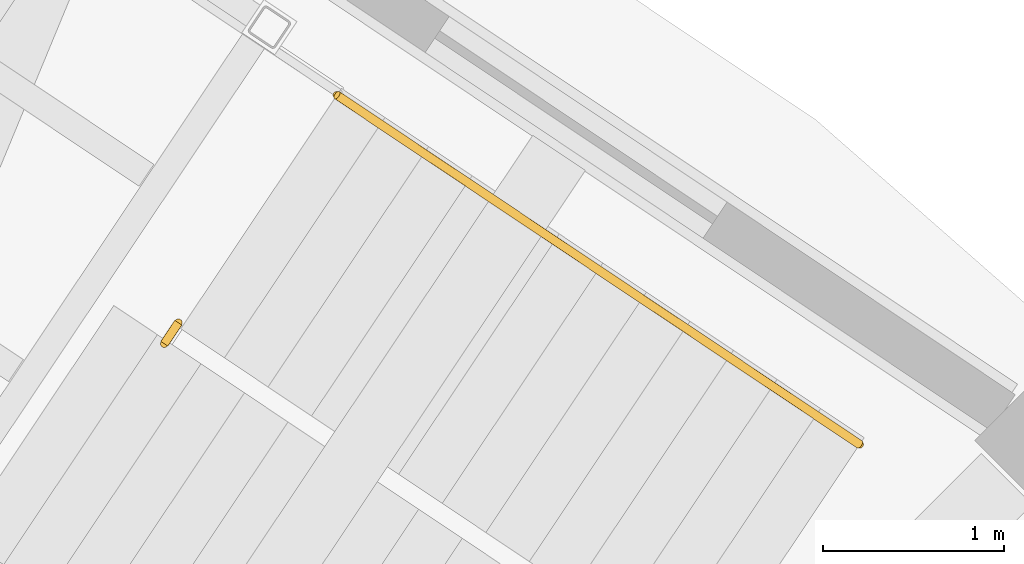
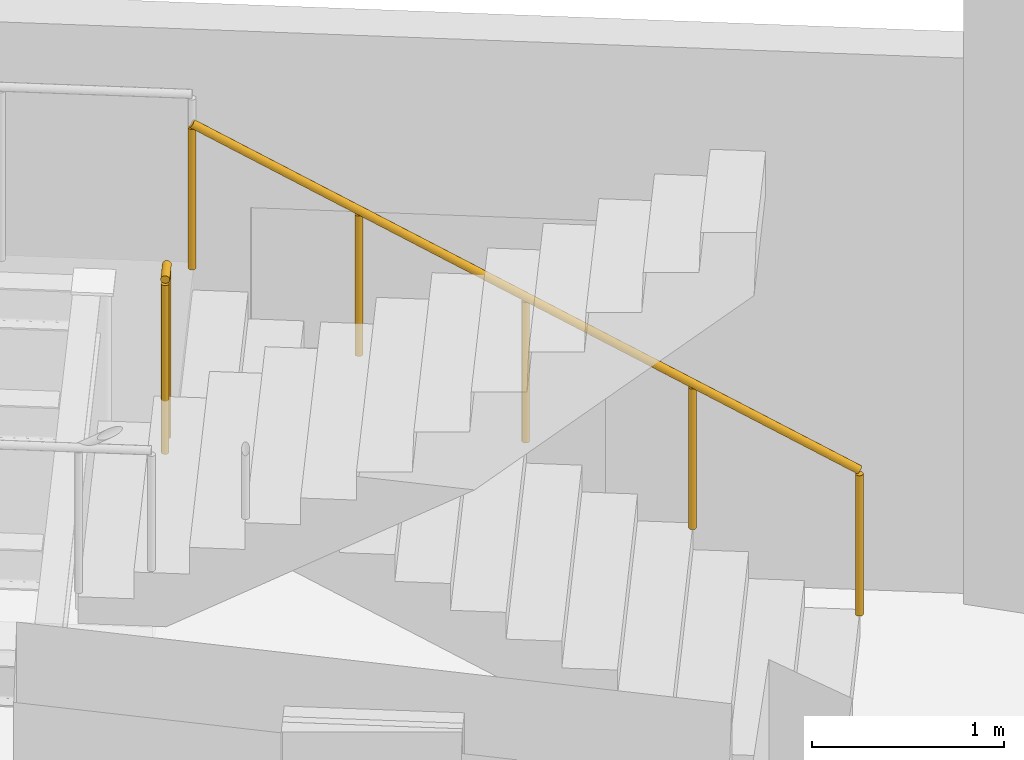
# One storey, part 88 of 92: 2 railings.
"""IFC4 building model written with IfcOpenShell, lengths in metres."""

from ifc_helpers import new_model, si_unit, direction, frame, origin, origin_2d, place, context, subcontext, project, spatial, circle, extrude, material, type_object, element, save


model = new_model("IFC4")

# Units and contexts
model_context = context("Model", 3, precision=1e-05, world=origin(), true_north=direction((0.0, 1.0)))
body_context = subcontext(model_context, "Body", "Model", "MODEL_VIEW")
ifc_project = project(units=[si_unit("LENGTHUNIT", "METRE"), si_unit("AREAUNIT", "SQUARE_METRE"), si_unit("VOLUMEUNIT", "CUBIC_METRE"), si_unit("PLANEANGLEUNIT", "RADIAN"), si_unit("MASSUNIT", "GRAM", prefix="KILO")], contexts=[model_context])

# Site, building, storey
site_placement = place(None, origin())
site = spatial("IfcSite", under=ifc_project, at=site_placement, CompositionType="ELEMENT")
building_placement = place(site_placement, origin())
building = spatial("IfcBuilding", under=site, at=building_placement, Name="Caldaven Crescent School", CompositionType="ELEMENT")
storey_placement = place(building_placement, origin())
storey = spatial("IfcBuildingStorey", under=building, at=storey_placement, Name="L00", CompositionType="ELEMENT", Elevation=0.0)

# Railings
ifc_material_1 = material(Name="Brushed stainless-steel continuous tubular handrail", Category="steel")
railing_type_1 = type_object("IfcRailingType", Name="RAL-HR4", PredefinedType="HANDRAIL", material=ifc_material_1)
railing_1_placement = place(storey_placement, frame((33.78759765625, 109.792724609375, 0.173095703125)))
element("IfcRailing", 1, at=railing_1_placement, inside=storey, type_object=railing_type_1, Name="HR-STV2-L00-F1", PredefinedType="HANDRAIL", context=body_context, shape_type="SweptSolid", body=[
    extrude(circle(Radius=0.02392578125, at=origin_2d()), frame((0.0, 0.0, 0.916015625), z_axis=(-0.717333421343, 0.47929154266, 0.505680116041), x_axis=(-0.555557951669, -0.831477818308, 0.0)), (0.0, 0.0, 1.0), 4.03369140625),
    extrude(circle(Radius=0.02099609375, at=origin_2d()), origin(), (0.0, 0.0, 1.0), 0.891845703125),
    extrude(circle(Radius=0.02099609375, at=origin_2d()), frame((-0.723388671875, 0.4833984375, 0.510009765625)), (0.0, 0.0, 1.0), 0.891845703125),
    extrude(circle(Radius=0.02099609375, at=origin_2d()), frame((-1.44677734375, 0.966796875, 1.02001953125)), (0.0, 0.0, 1.0), 0.891845703125),
    extrude(circle(Radius=0.02099609375, at=origin_2d()), frame((-2.170166015625, 1.449951171875, 1.52978515625)), (0.0, 0.0, 1.0), 0.891845703125),
    extrude(circle(Radius=0.02099609375, at=origin_2d()), frame((-2.8935546875, 1.933349609375, 2.039794921875)), (0.0, 0.0, 1.0), 0.891845703125),
])
ifc_material_2 = material(Name="Powder-coated tubular steel balustrade ASTM A572 Grade 50", Category="steel")
railing_type_2 = type_object("IfcRailingType", Name="RAL-INT2", PredefinedType="BALUSTRADE", material=ifc_material_2)
railing_2_placement = place(storey_placement, frame((30.016357421875, 110.46630859375, 2.2099609375)))
element("IfcRailing", 2, at=railing_2_placement, inside=storey, type_object=railing_type_2, Name="GD-SLT-STV2-L00", PredefinedType="BALUSTRADE", context=body_context, shape_type="SweptSolid", body=[
    extrude(circle(Radius=0.02392578125, at=origin_2d()), frame((0.0, 0.0, 1.09619140625), z_axis=(-0.555506185715, -0.831512403775, 0.0), x_axis=(0.831512403775, -0.555506185715, 0.0)), (0.0, 0.0, 1.0), 0.1396484375),
    extrude(circle(Radius=0.02099609375, at=origin_2d()), origin(), (0.0, 0.0, 1.0), 1.072021484375),
    extrude(circle(Radius=0.02099609375, at=origin_2d()), frame((-0.07763671875, -0.1162109375, 0.0)), (0.0, 0.0, 1.0), 1.072021484375),
])

save(model, "model.ifc")
